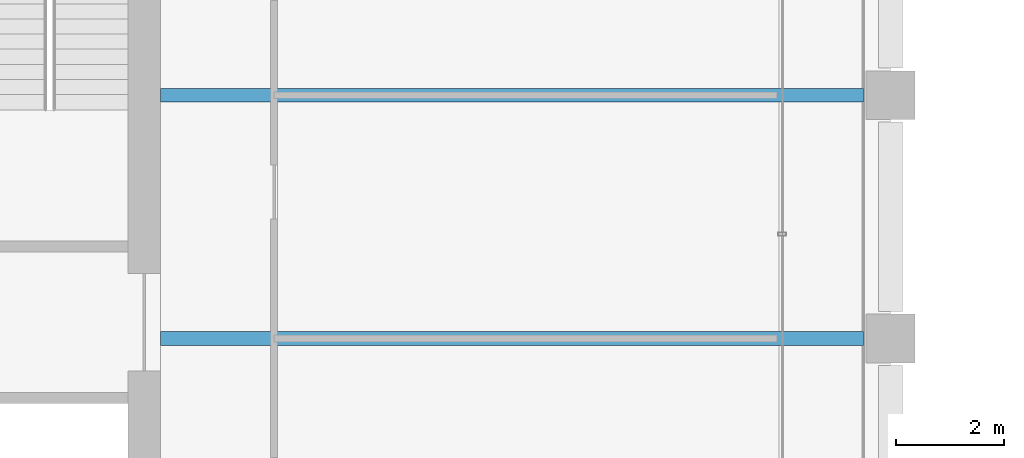
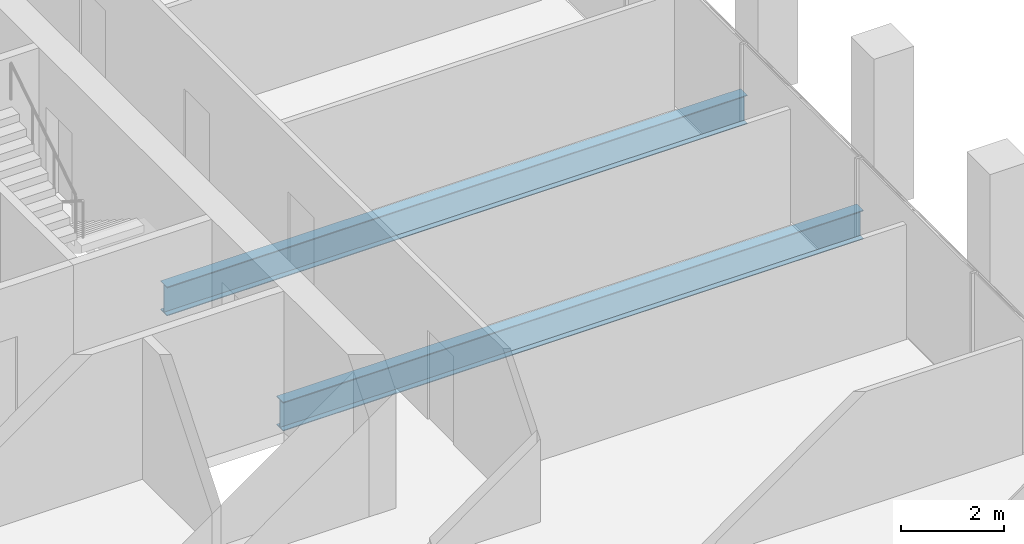
# One storey, part 16 of 44: 2 beams.
"""IFC4 building model written with IfcOpenShell, lengths in metres."""

from ifc_helpers import new_model, si_unit, direction, frame, origin, origin_2d, place, context, subcontext, project, spatial, i_section, extrude, material, material_profile, profile_set, type_object, element, save


model = new_model("IFC4")

# Units and contexts
model_context = context("Model", 3, precision=1e-05, world=origin(), true_north=direction((0.0, 1.0)))
body_context = subcontext(model_context, "Body", "Model", "MODEL_VIEW")
ifc_project = project(units=[si_unit("LENGTHUNIT", "METRE"), si_unit("AREAUNIT", "SQUARE_METRE"), si_unit("VOLUMEUNIT", "CUBIC_METRE"), si_unit("PLANEANGLEUNIT", "RADIAN"), si_unit("MASSUNIT", "GRAM", prefix="KILO")], contexts=[model_context])

# Site, building, storey
site_placement = place(None, origin())
site = spatial("IfcSite", under=ifc_project, at=site_placement, CompositionType="ELEMENT")
building_placement = place(site_placement, origin())
building = spatial("IfcBuilding", under=site, at=building_placement, Name="Altepetl Exchange Towers", CompositionType="ELEMENT")
storey_placement = place(building_placement, frame((0.0, 0.0, 143.800048828125)))
storey = spatial("IfcBuildingStorey", under=building, at=storey_placement, Name="L35", CompositionType="ELEMENT", Elevation=143.800048828125)

# Beams
ifc_material = material(Name="Steel S355", Category="steel")
ifc_material_profile = material_profile(ifc_material, i_section(OverallWidth=0.25390625, OverallDepth=0.68408203125, WebThickness=0.012451171875, FlangeThickness=0.018798828125, at=origin_2d()), Name="W27X94")
ifc_profile_set = profile_set([ifc_material_profile], Name="Steel S355")
beam_type = type_object("IfcBeamType", Name="Floor beam W27X94", PredefinedType="BEAM", material=ifc_profile_set)
for number, where, z_axis, x_axis, name in (
    (1, (58.5, 45.0, -0.491943359375), (1.0, 0.0, 0.0), (0.0, 1.0, 0.0), "bm:A:L35:009"),
    (2, (58.5, 49.5, -0.491943359375), (1.0, 0.0, 0.0), (0.0, 1.0, 0.0), "bm:A:L35:010"),
):
    element("IfcBeam", number, at=place(storey_placement, frame(where, z_axis=z_axis, x_axis=x_axis)), inside=storey, type_object=beam_type, Name=name, PredefinedType="BEAM", context=body_context, shape_type="SweptSolid", body=[
        extrude(i_section(OverallWidth=0.25390625, OverallDepth=0.68408203125, WebThickness=0.012451171875, FlangeThickness=0.018798828125, at=origin_2d()), origin(), (0.0, 0.0, 1.0), 13.0),
    ])

save(model, "model.ifc")
